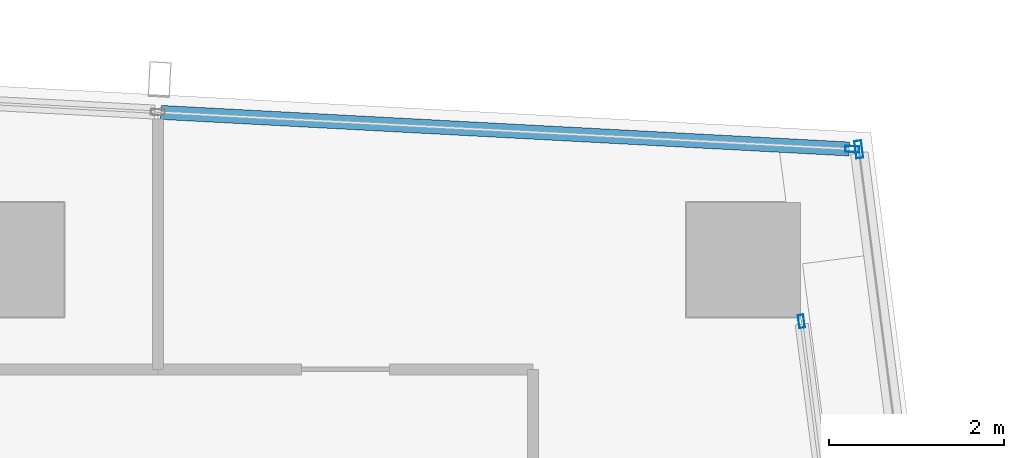
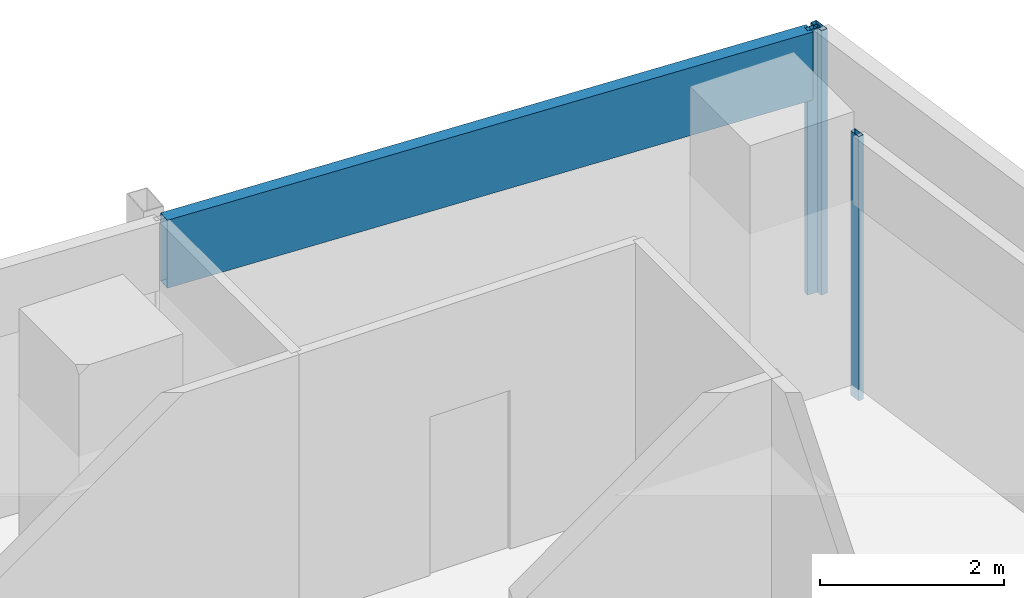
# One storey, part 18 of 28: 4 members, 3 elements without a shape of their own.
"""IFC4 building model written with IfcOpenShell, lengths in metres."""

import ifcopenshell
import ifcopenshell.guid

model = None  # the IFC model being written
_history = None  # IfcOwnerHistory: only IFC2X3 demands one
_inside = {}  # id of a spatial element -> (the spatial element, [elements in it])
_under = {}  # id of a project, library or spatial element -> (it, [spatial elements below it])
_declared = {}  # id of a project -> (the project, [libraries it declares])
_typed = {}  # id of a type object -> (the type object, [elements of that type])
_made_of = {}  # id of a material, layer set ... -> (it, [elements and type objects made of it])


def new_model(schema):
    """Start an empty IFC model of exactly this schema.

    Asked for "IFC4X3", IfcOpenShell would pick the latest addendum, in which some entities
    have other attributes; the version numbers below select the first issue.
    IFC2X3 requires an IfcOwnerHistory on every rooted entity: one is made here for all.
    """
    global model, _history
    if schema == "IFC4X3":
        model = ifcopenshell.file(schema_version=(4, 3, 0, 0))
    else:
        model = ifcopenshell.file(schema=schema)
    _inside.clear()
    _under.clear()
    _declared.clear()
    _typed.clear()
    _made_of.clear()
    _history = None
    if model.schema == "IFC2X3":
        org = make("IfcOrganization", Name="unknown")
        user = make(
            "IfcPersonAndOrganization",
            ThePerson=make("IfcPerson", FamilyName="unknown"),
            TheOrganization=org,
        )
        app = make(
            "IfcApplication",
            ApplicationDeveloper=org,
            Version="unknown",
            ApplicationFullName="unknown",
            ApplicationIdentifier="unknown",
        )
        _history = make(
            "IfcOwnerHistory",
            OwningUser=user,
            OwningApplication=app,
            ChangeAction="ADDED",
            CreationDate=0,
        )
    return model


def make(cls, **values):
    """One entity of the class cls with the attributes given. An attribute that is None is left unset."""
    return model.create_entity(
        cls, **{name: value for name, value in values.items() if value is not None}
    )


def rooted(cls, **values):
    """An entity with a GlobalId (a new one), such as an element, a storey or a relation."""
    return make(cls, GlobalId=ifcopenshell.guid.new(), OwnerHistory=_history, **values)


def si_unit(unit_type, name, prefix=None):
    """IfcSIUnit, for example si_unit("LENGTHUNIT", "METRE", prefix="MILLI")."""
    return make("IfcSIUnit", UnitType=unit_type, Prefix=prefix, Name=name)


def assignment(units):
    """IfcUnitAssignment: the units of a project."""
    return None if units is None else make("IfcUnitAssignment", Units=units)


def point(xyz):
    """IfcCartesianPoint."""
    return None if xyz is None else make("IfcCartesianPoint", Coordinates=xyz)


def direction(xyz):
    """IfcDirection."""
    return None if xyz is None else make("IfcDirection", DirectionRatios=xyz)


def frame(location, z_axis=None, x_axis=None):
    """IfcAxis2Placement3D, a coordinate frame: its origin and axes. An axis left out is left unset."""
    return make(
        "IfcAxis2Placement3D",
        Location=point(location),
        Axis=direction(z_axis),
        RefDirection=direction(x_axis),
    )


def frame_2d(location, x_axis=None):
    """IfcAxis2Placement2D, a coordinate frame in the plane: its origin and x axis."""
    return make(
        "IfcAxis2Placement2D", Location=point(location), RefDirection=direction(x_axis)
    )


def origin():
    """The frame at (0, 0, 0) with its axes left unset."""
    return frame((0.0, 0.0, 0.0))


def origin_2d():
    """The frame at (0, 0) in the plane with its x axis left unset."""
    return frame_2d((0.0, 0.0))


def place(relative_to, where):
    """IfcLocalPlacement: puts the frame where relative to a parent placement (None: the world)."""
    return make(
        "IfcLocalPlacement", PlacementRelTo=relative_to, RelativePlacement=where
    )


def context(
    kind, dimensions, precision=None, world=None, true_north=None, identifier=None
):
    """IfcGeometricRepresentationContext, for example the 3D "Model" context."""
    return make(
        "IfcGeometricRepresentationContext",
        ContextIdentifier=identifier,
        ContextType=kind,
        CoordinateSpaceDimension=dimensions,
        Precision=precision,
        WorldCoordinateSystem=world,
        TrueNorth=true_north,
    )


def subcontext(parent, identifier, kind, view, scale=None):
    """IfcGeometricRepresentationSubContext, for example "Body" below "Model"."""
    return make(
        "IfcGeometricRepresentationSubContext",
        ContextIdentifier=identifier,
        ContextType=kind,
        ParentContext=parent,
        TargetScale=scale,
        TargetView=view,
    )


def project(units=None, contexts=None):
    """IfcProject with its units and contexts."""
    return rooted(
        "IfcProject",
        Name="project",
        RepresentationContexts=contexts,
        UnitsInContext=assignment(units),
    )


def spatial(cls, under=None, at=None, **own):
    """A site, building, storey or space (cls), placed at a placement, below another one or the project."""
    s = rooted(cls, ObjectPlacement=at, **own)
    if under is not None:
        _under.setdefault(under.id(), (under, []))[1].append(s)
    return s


def profile(cls, at=None, kind="AREA", **sizes):
    """A parametric profile (cls). Its sizes go by their IFC names, for example OverallWidth=200.0."""
    return make(cls, ProfileType=kind, Position=at, **sizes)


def hollow_rectangle(**sizes):
    """IfcRectangleHollowProfileDef."""
    return profile("IfcRectangleHollowProfileDef", **sizes)


def extrude(swept, where, along, depth):
    """IfcExtrudedAreaSolid: the profile swept, set in the frame where, extruded along a direction by depth."""
    return make(
        "IfcExtrudedAreaSolid",
        SweptArea=swept,
        Position=where,
        ExtrudedDirection=direction(along),
        Depth=depth,
    )


def shape(context_of_items, identifier, shape_type, items):
    """IfcShapeRepresentation: the items that make up one representation, for example the "Body"."""
    return make(
        "IfcShapeRepresentation",
        ContextOfItems=context_of_items,
        RepresentationIdentifier=identifier,
        RepresentationType=shape_type,
        Items=items,
    )


def material(Name=None, Category=None):
    """IfcMaterial."""
    return make("IfcMaterial", Name=Name, Category=Category)


def material_profile(
    of_material, cross_section, Name=None, Category=None, Priority=None
):
    """IfcMaterialProfile: a cross section and its material."""
    return make(
        "IfcMaterialProfile",
        Name=Name,
        Material=of_material,
        Profile=cross_section,
        Priority=Priority,
        Category=Category,
    )


def profile_set(profiles, Name=None, composite=None):
    """IfcMaterialProfileSet."""
    return make(
        "IfcMaterialProfileSet",
        Name=Name,
        MaterialProfiles=profiles,
        CompositeProfile=composite,
    )


def made_of(thing, what):
    """Note that an element or type object is made of a material, layer set ...; save() writes the relation."""
    if what is not None:
        _made_of.setdefault(what.id(), (what, []))[1].append(thing)
    return thing


def type_object(cls, material=None, **own):
    """A type object (cls), such as IfcWallType, which elements share."""
    return made_of(rooted(cls, **own), material)


def element(
    cls,
    number,
    at=None,
    inside=None,
    cuts=None,
    type_object=None,
    material=None,
    context=None,
    identifier="Body",
    shape_type=None,
    held_by="IfcProductDefinitionShape",
    body=None,
    shapes=None,
    **own,
):
    """One element of the class cls, such as IfcWall. Its Tag is "e" and its number.

    at: its placement. inside: the storey or other place that contains it. cuts: it is an
    opening in that element (IfcRelVoidsElement). A single representation is given by context,
    identifier, shape_type and body (its items); several are given by shapes. held_by: the class
    of the entity that holds the representations. save() writes the other relations.
    """
    e = rooted(cls, Tag="e%d" % number, ObjectPlacement=at, **own)
    if body is not None:
        shapes = [shape(context, identifier, shape_type, body)]
    if shapes is not None:
        e.Representation = make(held_by, Representations=shapes)
    if inside is not None:
        _inside.setdefault(inside.id(), (inside, []))[1].append(e)
    if cuts is not None:
        rooted(
            "IfcRelVoidsElement", RelatingBuildingElement=cuts, RelatedOpeningElement=e
        )
    if type_object is not None:
        _typed.setdefault(type_object.id(), (type_object, []))[1].append(e)
    return made_of(e, material)


def aggregate(whole, parts):
    """IfcRelAggregates: a whole, such as a stair, and the parts it consists of."""
    return rooted("IfcRelAggregates", RelatingObject=whole, RelatedObjects=parts)


def save(model, path):
    """Write the relations noted so far, then the file.

    IfcRelAggregates (storeys below a building ...), IfcRelContainedInSpatialStructure (elements
    in a storey), IfcRelDefinesByType, IfcRelAssociatesMaterial and IfcRelDeclares: one each for
    every whole, place, type object, material and project.
    """
    for whole, parts in _under.values():
        aggregate(whole, parts)
    for where, things in _inside.values():
        rooted(
            "IfcRelContainedInSpatialStructure",
            RelatedElements=things,
            RelatingStructure=where,
        )
    for kind, things in _typed.values():
        rooted("IfcRelDefinesByType", RelatedObjects=things, RelatingType=kind)
    for what, things in _made_of.values():
        rooted("IfcRelAssociatesMaterial", RelatedObjects=things, RelatingMaterial=what)
    for by, libraries in _declared.values():
        rooted("IfcRelDeclares", RelatingContext=by, RelatedDefinitions=libraries)
    model.write(path)


model = new_model("IFC4")

# Units and contexts
model_context = context("Model", 3, precision=1e-05, world=origin(), true_north=direction((0.0, 1.0)))
body_context = subcontext(model_context, "Body", "Model", "MODEL_VIEW")
ifc_project = project(units=[si_unit("LENGTHUNIT", "METRE"), si_unit("AREAUNIT", "SQUARE_METRE"), si_unit("VOLUMEUNIT", "CUBIC_METRE"), si_unit("PLANEANGLEUNIT", "RADIAN"), si_unit("MASSUNIT", "GRAM", prefix="KILO")], contexts=[model_context])

# Site, building, storey
site_placement = place(None, origin())
site = spatial("IfcSite", under=ifc_project, at=site_placement, CompositionType="ELEMENT")
building_placement = place(site_placement, origin())
building = spatial("IfcBuilding", under=site, at=building_placement, Name="Rekha Terrace Tower", CompositionType="ELEMENT")
storey_placement = place(building_placement, frame((0.0, 0.0, 268.85009765625)))
storey = spatial("IfcBuildingStorey", under=building, at=storey_placement, Name="L68", CompositionType="ELEMENT", Elevation=268.85009765625)

# Curtain wall, member
ifc_material_1 = material(Name="Aluminium framing", Category="aluminium")
curtain_wall_type_1 = type_object("IfcCurtainWallType", Name="CW1 double skin inner glazing", PredefinedType="USERDEFINED", material=ifc_material_1)
curtain_wall_1_placement = place(storey_placement, origin())
curtain_wall_1 = element("IfcCurtainWall", 1, at=curtain_wall_1_placement, inside=storey, type_object=curtain_wall_type_1, Name="CW1 double skin inner glazing", ObjectType="DOUBLE SKIN INNER GLAZING", PredefinedType="USERDEFINED")
ifc_material_2 = material(Name="Aluminium mullion section", Category="aluminium")
ifc_material_profile_1 = material_profile(ifc_material_2, hollow_rectangle(XDim=0.06494140625, YDim=0.14990234375, WallThickness=0.00390625, at=origin_2d()), Name="AL RHS 65x150")
ifc_profile_set_1 = profile_set([ifc_material_profile_1], Name="Aluminium mullion section")
member_type_1 = type_object("IfcMemberType", Name="CW1 mullion RHS 65 x 150", PredefinedType="MULLION", material=ifc_profile_set_1)
member_1_placement = place(storey_placement, frame((59.458740234375, 49.6982421875, 0.0), z_axis=(0.0, 0.0, 1.0), x_axis=(-0.991790949472, -0.127869904766, 0.0)))
member_1 = element("IfcMember", 2, at=member_1_placement, type_object=member_type_1, Name="CW1 mullion 2", PredefinedType="MULLION", context=body_context, shape_type="SweptSolid", body=[
    extrude(hollow_rectangle(XDim=0.06494140625, YDim=0.14990234375, WallThickness=0.00390625, at=origin_2d()), origin(), (0.0, 0.0, 1.0), 3.5),
])
aggregate(curtain_wall_1, [member_1])

curtain_wall_type_2 = type_object("IfcCurtainWallType", Name="CW2 double skin outer glazing", PredefinedType="USERDEFINED", material=ifc_material_1)
curtain_wall_2_placement = place(storey_placement, origin())
curtain_wall_2 = element("IfcCurtainWall", 3, at=curtain_wall_2_placement, inside=storey, type_object=curtain_wall_type_2, Name="CW2 double skin outer glazing", ObjectType="DOUBLE SKIN OUTER GLAZING", PredefinedType="USERDEFINED")
ifc_material_profile_2 = material_profile(ifc_material_2, hollow_rectangle(XDim=0.080078125, YDim=0.199951171875, WallThickness=0.00390625, at=origin_2d()), Name="AL RHS 80x200")
ifc_profile_set_2 = profile_set([ifc_material_profile_2], Name="Aluminium mullion section")
member_type_2 = type_object("IfcMemberType", Name="CW2 mullion RHS 80 x 200", PredefinedType="MULLION", material=ifc_profile_set_2)
member_2_placement = place(storey_placement, frame((60.113525390625, 51.65771484375, 0.0), z_axis=(0.0, 0.0, 1.0), x_axis=(-0.991790949459, -0.12786990487, 0.0)))
member_2 = element("IfcMember", 4, at=member_2_placement, type_object=member_type_2, Name="CW2 mullion 2", PredefinedType="MULLION", context=body_context, shape_type="SweptSolid", body=[
    extrude(hollow_rectangle(XDim=0.080078125, YDim=0.199951171875, WallThickness=0.00390625, at=origin_2d()), origin(), (0.0, 0.0, 1.0), 3.5),
])
aggregate(curtain_wall_2, [member_2])

# Curtain wall, members
curtain_wall_type_3 = type_object("IfcCurtainWallType", Name="CW3 north unitised glazing", PredefinedType="USERDEFINED", material=ifc_material_1)
curtain_wall_3_placement = place(storey_placement, origin())
curtain_wall_3 = element("IfcCurtainWall", 5, at=curtain_wall_3_placement, inside=storey, type_object=curtain_wall_type_3, Name="CW3 unitised curtain wall", ObjectType="UNITISED CURTAIN WALL", PredefinedType="USERDEFINED")
ifc_material_profile_3 = material_profile(ifc_material_2, hollow_rectangle(XDim=0.070068359375, YDim=0.159912109375, WallThickness=0.00390625, at=origin_2d()), Name="AL RHS 70x160")
ifc_profile_set_3 = profile_set([ifc_material_profile_3], Name="Aluminium mullion section")
member_type_3 = type_object("IfcMemberType", Name="CW3 mullion RHS 70 x 160", PredefinedType="MULLION", material=ifc_profile_set_3)
member_3_placement = place(storey_placement, frame((60.0380859375, 51.660888671875, 0.0), z_axis=(0.0, 0.0, 1.0), x_axis=(-0.053083275524, -0.998590089005, 0.0)))
member_3 = element("IfcMember", 6, at=member_3_placement, type_object=member_type_3, Name="CW3 mullion 1", PredefinedType="MULLION", context=body_context, shape_type="SweptSolid", body=[
    extrude(hollow_rectangle(XDim=0.070068359375, YDim=0.159912109375, WallThickness=0.00390625, at=origin_2d()), origin(), (0.0, 0.0, 1.0), 3.5),
])
ifc_material_3 = material(Name="Insulated aluminium spandrel box", Category="aluminium")
ifc_material_profile_4 = material_profile(ifc_material_3, hollow_rectangle(XDim=0.159912109375, YDim=0.89990234375, WallThickness=0.0029296875, at=origin_2d()), Name="AL SPANDREL BOX 160x900")
ifc_profile_set_4 = profile_set([ifc_material_profile_4], Name="Insulated aluminium spandrel box")
member_type_4 = type_object("IfcMemberType", Name="CW3 spandrel transom 160 x 900", PredefinedType="USERDEFINED", material=ifc_profile_set_4)
member_4_placement = place(storey_placement, frame((60.003173828125, 51.662841796875, 3.0498046875), z_axis=(-0.99859048353, 0.053075853302, 0.0), x_axis=(-0.053075853302, -0.99859048353, 0.0)))
member_4 = element("IfcMember", 7, at=member_4_placement, type_object=member_type_4, Name="CW3 spandrel transom 1", ObjectType="TRANSOM", PredefinedType="USERDEFINED", context=body_context, shape_type="SweptSolid", body=[
    extrude(hollow_rectangle(XDim=0.159912109375, YDim=0.89990234375, WallThickness=0.0029296875, at=origin_2d()), origin(), (0.0, 0.0, 1.0), 7.8564453125),
])
aggregate(curtain_wall_3, [member_3, member_4])

save(model, "model.ifc")
